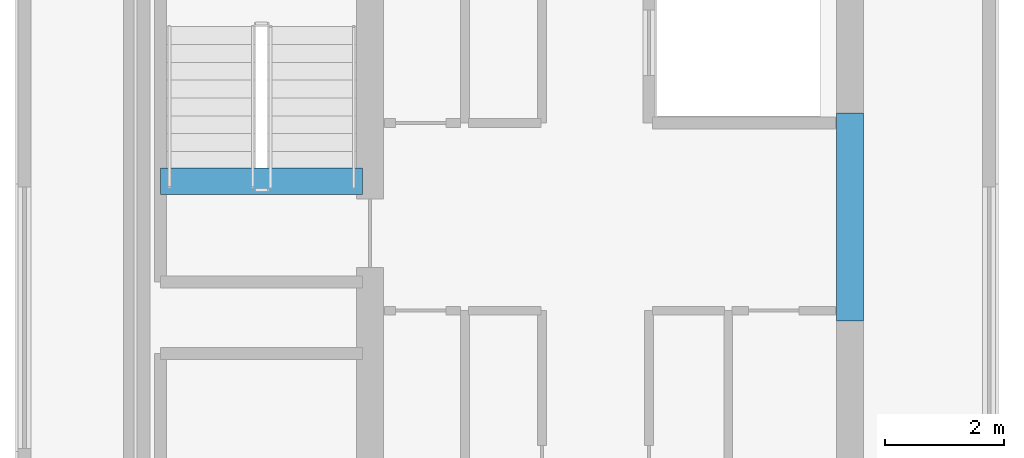
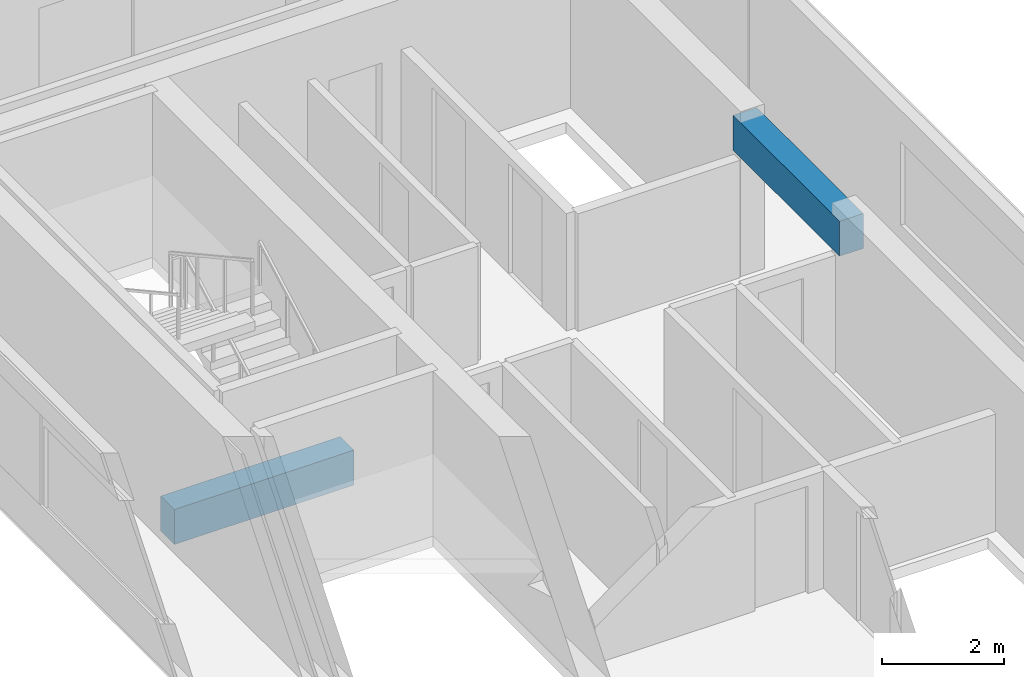
# One storey, part 4 of 29: 2 beams.
"""IFC4 building model written with IfcOpenShell, lengths in metres."""

from ifc_helpers import new_model, si_unit, direction, frame, origin, origin_2d, place, context, subcontext, project, spatial, rectangle, extrude, material, material_profile, profile_set, type_object, element, save


model = new_model("IFC4")

# Units and contexts
model_context = context("Model", 3, precision=1e-05, world=origin(), true_north=direction((0.0, 1.0)))
body_context = subcontext(model_context, "Body", "Model", "MODEL_VIEW")
ifc_project = project(units=[si_unit("LENGTHUNIT", "METRE"), si_unit("AREAUNIT", "SQUARE_METRE"), si_unit("VOLUMEUNIT", "CUBIC_METRE"), si_unit("PLANEANGLEUNIT", "RADIAN"), si_unit("MASSUNIT", "GRAM", prefix="KILO")], contexts=[model_context])

# Site, building, storey
site_placement = place(None, origin())
site = spatial("IfcSite", under=ifc_project, at=site_placement, CompositionType="ELEMENT")
building_placement = place(site_placement, origin())
building = spatial("IfcBuilding", under=site, at=building_placement, Name="Tanjung Sevakor Pilgrim Tower", CompositionType="ELEMENT")
storey_placement = place(building_placement, frame((0.0, 0.0, 235.949951171875)))
storey = spatial("IfcBuildingStorey", under=building, at=storey_placement, Name="L66", CompositionType="ELEMENT", Elevation=235.949951171875)

# Beams
ifc_material = material(Name="Concrete C60/75", Category="concrete")
ifc_material_profile = material_profile(ifc_material, rectangle(XDim=0.449951171875, YDim=0.699951171875, at=origin_2d()))
ifc_profile_set = profile_set([ifc_material_profile], Name="Concrete C60/75")
beam_type = type_object("IfcBeamType", Name="BM-B-LN3-RC-BM_450x700", PredefinedType="LINTEL", material=ifc_profile_set)
beam_1_placement = place(storey_placement, frame((36.0, 33.550048828125, 2.72998046875), z_axis=(0.0, 1.0, 0.0), x_axis=(-1.0, 0.0, 0.0)))
element("IfcBeam", 1, at=beam_1_placement, inside=storey, type_object=beam_type, Name="L66 W Core Coupling Lintel", PredefinedType="LINTEL", context=body_context, shape_type="SweptSolid", body=[
    extrude(rectangle(XDim=0.449951171875, YDim=0.699951171875, at=origin_2d()), origin(), (0.0, 0.0, 1.0), 3.5),
])
beam_2_placement = place(storey_placement, frame((24.39990234375, 35.89990234375, -0.349853515625), z_axis=(1.0, 0.0, 0.0), x_axis=(0.0, 1.0, 0.0)))
element("IfcBeam", 2, at=beam_2_placement, inside=storey, type_object=beam_type, Name="L66 TS-W2 Stair Threshold Beam", PredefinedType="LINTEL", context=body_context, shape_type="SweptSolid", body=[
    extrude(rectangle(XDim=0.449951171875, YDim=0.699951171875, at=origin_2d()), origin(), (0.0, 0.0, 1.0), 3.400146484375),
])

save(model, "model.ifc")
